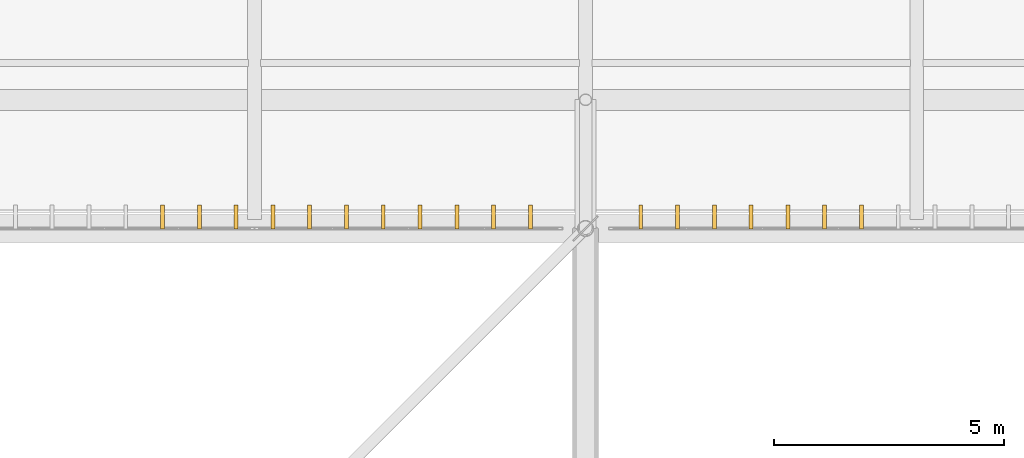
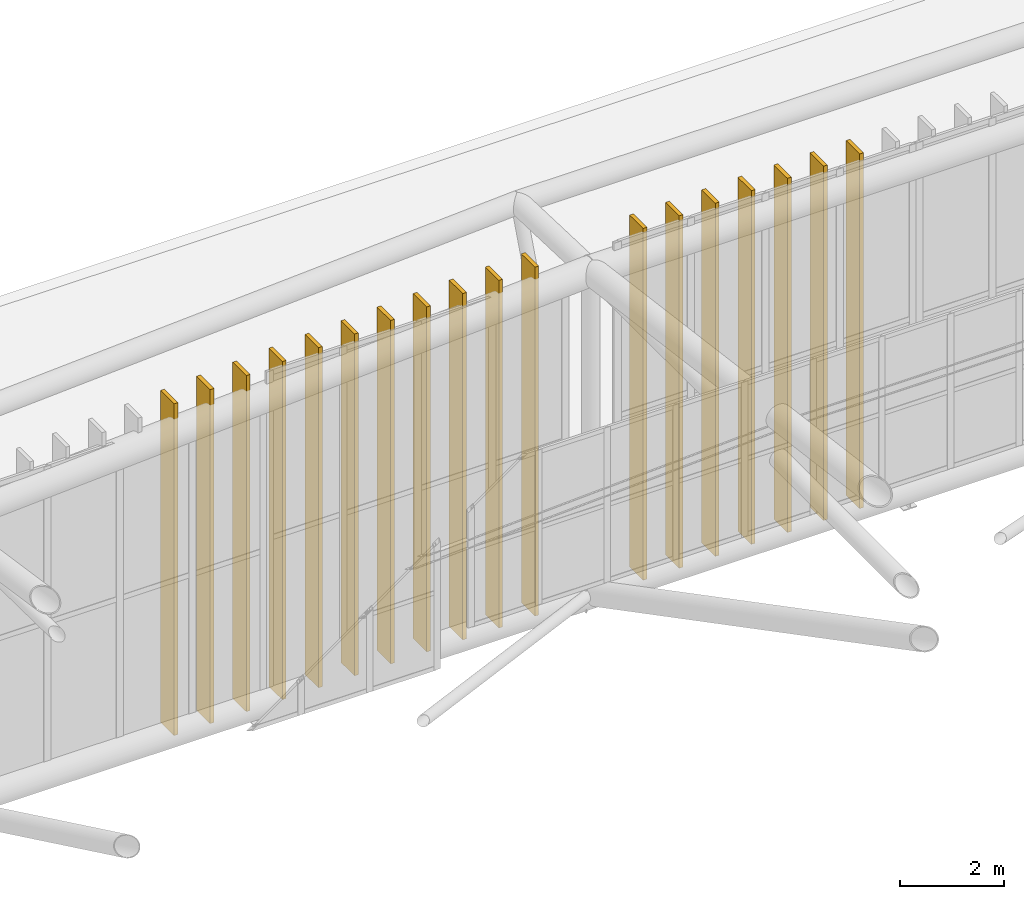
# One storey, part 395 of 397: 18 coverings.
"""IFC4 building model written with IfcOpenShell, lengths in metres."""

from ifc_helpers import new_model, si_unit, direction, frame, origin, origin_2d, place, context, subcontext, project, spatial, rectangle, extrude, material, layer, layer_set, type_object, element, save


model = new_model("IFC4")

# Units and contexts
model_context = context("Model", 3, precision=1e-05, world=origin(), true_north=direction((0.0, 1.0)))
body_context = subcontext(model_context, "Body", "Model", "MODEL_VIEW")
ifc_project = project(units=[si_unit("LENGTHUNIT", "METRE"), si_unit("AREAUNIT", "SQUARE_METRE"), si_unit("VOLUMEUNIT", "CUBIC_METRE"), si_unit("PLANEANGLEUNIT", "RADIAN"), si_unit("MASSUNIT", "GRAM", prefix="KILO")], contexts=[model_context])

# Site, building, storey
site_placement = place(None, origin())
site = spatial("IfcSite", under=ifc_project, at=site_placement, CompositionType="ELEMENT")
building_placement = place(site_placement, origin())
building = spatial("IfcBuilding", under=site, at=building_placement, Name="Qandorah Velis Arena", CompositionType="ELEMENT")
storey_placement = place(building_placement, frame((0.0, 0.0, 27.5)))
storey = spatial("IfcBuildingStorey", under=building, at=storey_placement, Name="RF", CompositionType="ELEMENT", Elevation=27.5)

# Coverings
ifc_material = material(Name="Champagne-bronze anodized aluminium 6063-T6", Category="aluminium")
ifc_layer = layer(ifc_material, 0.0849609375)
ifc_layer_set = layer_set([ifc_layer], Name="Champagne-bronze anodized aluminium 6063-T6")
covering_type = type_object("IfcCoveringType", Name="ARC-COV-FIN520", PredefinedType="CLADDING", material=ifc_layer_set)
covering_1_placement = place(storey_placement, frame((48.39990234375, 115.455078125, -0.009765625), z_axis=(0.0, 0.0, 1.0), x_axis=(1.0, 0.0, 0.0)))
element("IfcCovering", 1, at=covering_1_placement, inside=storey, type_object=covering_type, Name="Arched crown champagne-bronze solar fin 4.3.6", PredefinedType="CLADDING", context=body_context, shape_type="SweptSolid", body=[
    extrude(rectangle(XDim=0.0849609375, YDim=0.52001953125, at=origin_2d()), origin(), (0.0, 0.0, 1.0), 7.777587890625),
])
covering_2_placement = place(storey_placement, frame((49.199951171875, 115.455078125, -0.009765625), z_axis=(0.0, 0.0, 1.0), x_axis=(1.0, 0.0, 0.0)))
element("IfcCovering", 2, at=covering_2_placement, inside=storey, type_object=covering_type, Name="Arched crown champagne-bronze solar fin 4.3.7", PredefinedType="CLADDING", context=body_context, shape_type="SweptSolid", body=[
    extrude(rectangle(XDim=0.0849609375, YDim=0.52001953125, at=origin_2d()), origin(), (0.0, 0.0, 1.0), 7.830322265625),
])
covering_3_placement = place(storey_placement, frame((50.0, 115.455078125, -0.010009765625), z_axis=(0.0, 0.0, 1.0), x_axis=(1.0, 0.0, 0.0)))
element("IfcCovering", 3, at=covering_3_placement, inside=storey, type_object=covering_type, Name="Arched crown champagne-bronze solar fin 4.3.8", PredefinedType="CLADDING", context=body_context, shape_type="SweptSolid", body=[
    extrude(rectangle(XDim=0.0849609375, YDim=0.52001953125, at=origin_2d()), origin(), (0.0, 0.0, 1.0), 7.88037109375),
])
covering_4_placement = place(storey_placement, frame((50.800048828125, 115.455078125, -0.01025390625), z_axis=(0.0, 0.0, 1.0), x_axis=(1.0, 0.0, 0.0)))
element("IfcCovering", 4, at=covering_4_placement, inside=storey, type_object=covering_type, Name="Arched crown champagne-bronze solar fin 4.3.9", PredefinedType="CLADDING", context=body_context, shape_type="SweptSolid", body=[
    extrude(rectangle(XDim=0.0849609375, YDim=0.52001953125, at=origin_2d()), origin(), (0.0, 0.0, 1.0), 7.927490234375),
])
covering_5_placement = place(storey_placement, frame((51.60009765625, 115.455078125, -0.01025390625), z_axis=(0.0, 0.0, 1.0), x_axis=(1.0, 0.0, 0.0)))
element("IfcCovering", 5, at=covering_5_placement, inside=storey, type_object=covering_type, Name="Arched crown champagne-bronze solar fin 4.3.10", PredefinedType="CLADDING", context=body_context, shape_type="SweptSolid", body=[
    extrude(rectangle(XDim=0.0849609375, YDim=0.52001953125, at=origin_2d()), origin(), (0.0, 0.0, 1.0), 7.971435546875),
])
covering_6_placement = place(storey_placement, frame((52.39990234375, 115.455078125, -0.01025390625), z_axis=(0.0, 0.0, 1.0), x_axis=(1.0, 0.0, 0.0)))
element("IfcCovering", 6, at=covering_6_placement, inside=storey, type_object=covering_type, Name="Arched crown champagne-bronze solar fin 4.3.11", PredefinedType="CLADDING", context=body_context, shape_type="SweptSolid", body=[
    extrude(rectangle(XDim=0.0849609375, YDim=0.52001953125, at=origin_2d()), origin(), (0.0, 0.0, 1.0), 8.012939453125),
])
covering_7_placement = place(storey_placement, frame((53.199951171875, 115.455078125, -0.01025390625), z_axis=(0.0, 0.0, 1.0), x_axis=(1.0, 0.0, 0.0)))
element("IfcCovering", 7, at=covering_7_placement, inside=storey, type_object=covering_type, Name="Arched crown champagne-bronze solar fin 4.3.12", PredefinedType="CLADDING", context=body_context, shape_type="SweptSolid", body=[
    extrude(rectangle(XDim=0.0849609375, YDim=0.52001953125, at=origin_2d()), origin(), (0.0, 0.0, 1.0), 8.051513671875),
])
covering_8_placement = place(storey_placement, frame((54.0, 115.455078125, -0.010009765625), z_axis=(0.0, 0.0, 1.0), x_axis=(1.0, 0.0, 0.0)))
element("IfcCovering", 8, at=covering_8_placement, inside=storey, type_object=covering_type, Name="Arched crown champagne-bronze solar fin 4.3.13", PredefinedType="CLADDING", context=body_context, shape_type="SweptSolid", body=[
    extrude(rectangle(XDim=0.0849609375, YDim=0.52001953125, at=origin_2d()), origin(), (0.0, 0.0, 1.0), 8.08740234375),
])
covering_9_placement = place(storey_placement, frame((54.800048828125, 115.455078125, -0.010009765625), z_axis=(0.0, 0.0, 1.0), x_axis=(1.0, 0.0, 0.0)))
element("IfcCovering", 9, at=covering_9_placement, inside=storey, type_object=covering_type, Name="Arched crown champagne-bronze solar fin 4.3.14", PredefinedType="CLADDING", context=body_context, shape_type="SweptSolid", body=[
    extrude(rectangle(XDim=0.0849609375, YDim=0.52001953125, at=origin_2d()), origin(), (0.0, 0.0, 1.0), 8.12060546875),
])
covering_10_placement = place(storey_placement, frame((55.60009765625, 115.455078125, -0.01025390625), z_axis=(0.0, 0.0, 1.0), x_axis=(1.0, 0.0, 0.0)))
element("IfcCovering", 10, at=covering_10_placement, inside=storey, type_object=covering_type, Name="Arched crown champagne-bronze solar fin 4.3.15", PredefinedType="CLADDING", context=body_context, shape_type="SweptSolid", body=[
    extrude(rectangle(XDim=0.0849609375, YDim=0.52001953125, at=origin_2d()), origin(), (0.0, 0.0, 1.0), 8.151123046875),
])
covering_11_placement = place(storey_placement, frame((56.39990234375, 115.455078125, -0.01025390625), z_axis=(0.0, 0.0, 1.0), x_axis=(1.0, 0.0, 0.0)))
element("IfcCovering", 11, at=covering_11_placement, inside=storey, type_object=covering_type, Name="Arched crown champagne-bronze solar fin 4.3.16", PredefinedType="CLADDING", context=body_context, shape_type="SweptSolid", body=[
    extrude(rectangle(XDim=0.0849609375, YDim=0.52001953125, at=origin_2d()), origin(), (0.0, 0.0, 1.0), 8.178955078125),
])
covering_12_placement = place(storey_placement, frame((58.800048828125, 115.455078125, -0.009765625), z_axis=(0.0, 0.0, 1.0), x_axis=(1.0, 0.0, 0.0)))
element("IfcCovering", 12, at=covering_12_placement, inside=storey, type_object=covering_type, Name="Arched crown champagne-bronze solar fin 4.4.1", PredefinedType="CLADDING", context=body_context, shape_type="SweptSolid", body=[
    extrude(rectangle(XDim=0.0849609375, YDim=0.52001953125, at=origin_2d()), origin(), (0.0, 0.0, 1.0), 8.246826171875),
])
covering_13_placement = place(storey_placement, frame((59.60009765625, 115.455078125, -0.009765625), z_axis=(0.0, 0.0, 1.0), x_axis=(1.0, 0.0, 0.0)))
element("IfcCovering", 13, at=covering_13_placement, inside=storey, type_object=covering_type, Name="Arched crown champagne-bronze solar fin 4.4.2", PredefinedType="CLADDING", context=body_context, shape_type="SweptSolid", body=[
    extrude(rectangle(XDim=0.0849609375, YDim=0.52001953125, at=origin_2d()), origin(), (0.0, 0.0, 1.0), 8.264404296875),
])
covering_14_placement = place(storey_placement, frame((60.39990234375, 115.455078125, -0.010009765625), z_axis=(0.0, 0.0, 1.0), x_axis=(1.0, 0.0, 0.0)))
element("IfcCovering", 14, at=covering_14_placement, inside=storey, type_object=covering_type, Name="Arched crown champagne-bronze solar fin 4.4.3", PredefinedType="CLADDING", context=body_context, shape_type="SweptSolid", body=[
    extrude(rectangle(XDim=0.0849609375, YDim=0.52001953125, at=origin_2d()), origin(), (0.0, 0.0, 1.0), 8.279296875),
])
covering_15_placement = place(storey_placement, frame((61.199951171875, 115.455078125, -0.009765625), z_axis=(0.0, 0.0, 1.0), x_axis=(1.0, 0.0, 0.0)))
element("IfcCovering", 15, at=covering_15_placement, inside=storey, type_object=covering_type, Name="Arched crown champagne-bronze solar fin 4.4.4", PredefinedType="CLADDING", context=body_context, shape_type="SweptSolid", body=[
    extrude(rectangle(XDim=0.0849609375, YDim=0.52001953125, at=origin_2d()), origin(), (0.0, 0.0, 1.0), 8.291748046875),
])
covering_16_placement = place(storey_placement, frame((62.0, 115.455078125, -0.010009765625), z_axis=(0.0, 0.0, 1.0), x_axis=(1.0, 0.0, 0.0)))
element("IfcCovering", 16, at=covering_16_placement, inside=storey, type_object=covering_type, Name="Arched crown champagne-bronze solar fin 4.4.5", PredefinedType="CLADDING", context=body_context, shape_type="SweptSolid", body=[
    extrude(rectangle(XDim=0.0849609375, YDim=0.52001953125, at=origin_2d()), origin(), (0.0, 0.0, 1.0), 8.3017578125),
])
covering_17_placement = place(storey_placement, frame((62.800048828125, 115.455078125, -0.01025390625), z_axis=(0.0, 0.0, 1.0), x_axis=(1.0, 0.0, 0.0)))
element("IfcCovering", 17, at=covering_17_placement, inside=storey, type_object=covering_type, Name="Arched crown champagne-bronze solar fin 4.4.6", PredefinedType="CLADDING", context=body_context, shape_type="SweptSolid", body=[
    extrude(rectangle(XDim=0.0849609375, YDim=0.52001953125, at=origin_2d()), origin(), (0.0, 0.0, 1.0), 8.309326171875),
])
covering_18_placement = place(storey_placement, frame((63.60009765625, 115.455078125, -0.009765625), z_axis=(0.0, 0.0, 1.0), x_axis=(1.0, 0.0, 0.0)))
element("IfcCovering", 18, at=covering_18_placement, inside=storey, type_object=covering_type, Name="Arched crown champagne-bronze solar fin 4.4.7", PredefinedType="CLADDING", context=body_context, shape_type="SweptSolid", body=[
    extrude(rectangle(XDim=0.0849609375, YDim=0.52001953125, at=origin_2d()), origin(), (0.0, 0.0, 1.0), 8.314208984375),
])

save(model, "model.ifc")
